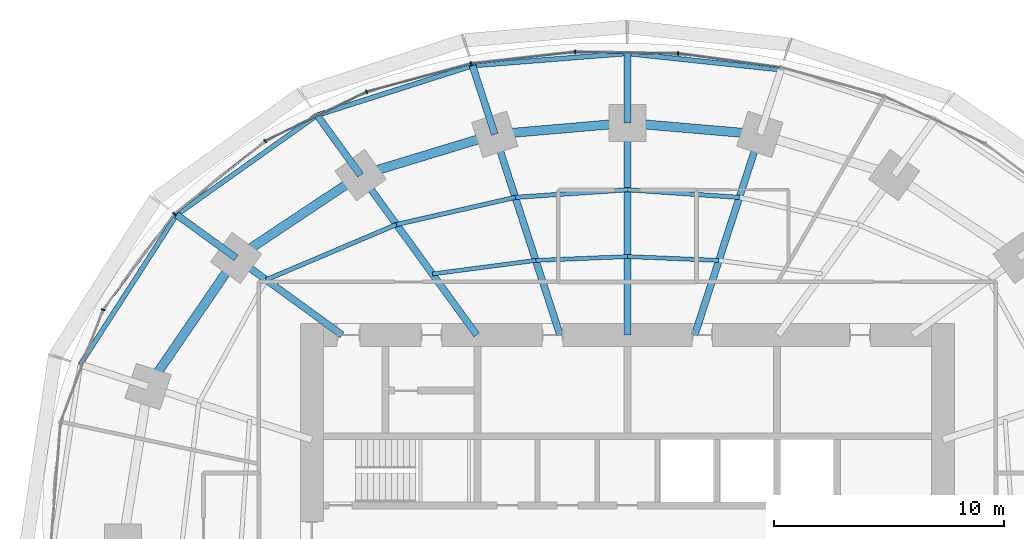
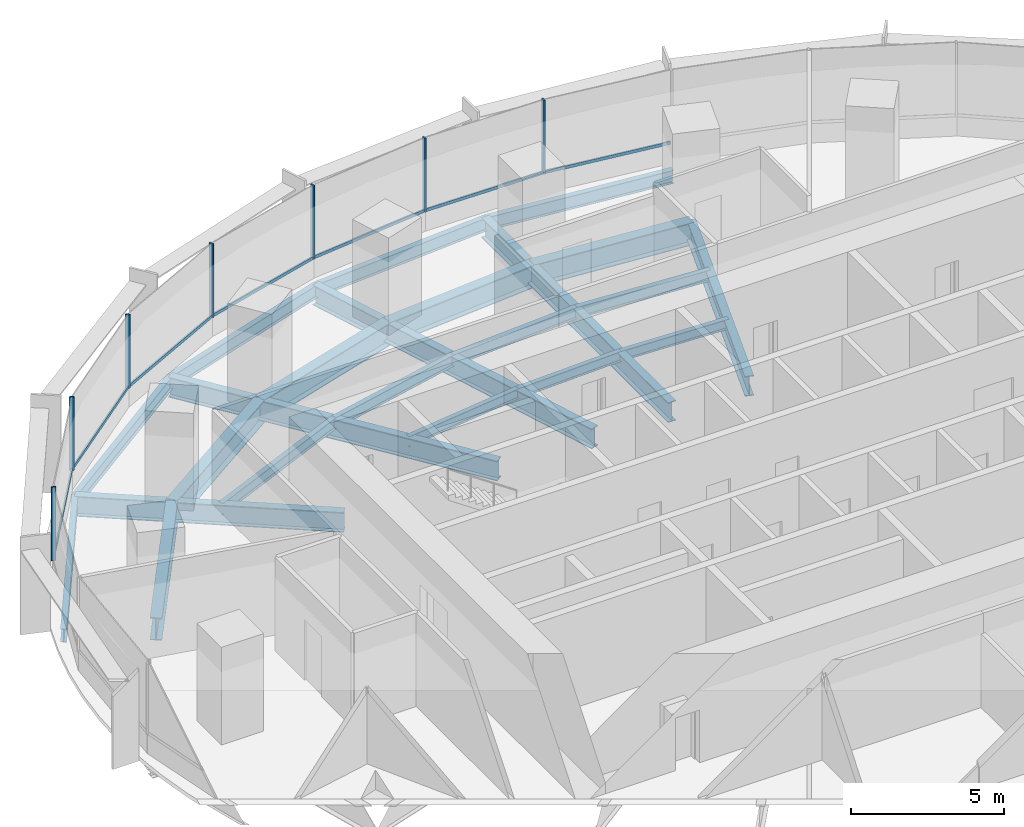
# One storey, part 7 of 14: 26 beams, 14 members, 2 elements without a shape of their own.
"""IFC4 building model written with IfcOpenShell, lengths in metres."""

import ifcopenshell
import ifcopenshell.guid

model = None  # the IFC model being written
_history = None  # IfcOwnerHistory: only IFC2X3 demands one
_inside = {}  # id of a spatial element -> (the spatial element, [elements in it])
_under = {}  # id of a project, library or spatial element -> (it, [spatial elements below it])
_declared = {}  # id of a project -> (the project, [libraries it declares])
_typed = {}  # id of a type object -> (the type object, [elements of that type])
_made_of = {}  # id of a material, layer set ... -> (it, [elements and type objects made of it])


def new_model(schema):
    """Start an empty IFC model of exactly this schema.

    Asked for "IFC4X3", IfcOpenShell would pick the latest addendum, in which some entities
    have other attributes; the version numbers below select the first issue.
    IFC2X3 requires an IfcOwnerHistory on every rooted entity: one is made here for all.
    """
    global model, _history
    if schema == "IFC4X3":
        model = ifcopenshell.file(schema_version=(4, 3, 0, 0))
    else:
        model = ifcopenshell.file(schema=schema)
    _inside.clear()
    _under.clear()
    _declared.clear()
    _typed.clear()
    _made_of.clear()
    _history = None
    if model.schema == "IFC2X3":
        org = make("IfcOrganization", Name="unknown")
        user = make(
            "IfcPersonAndOrganization",
            ThePerson=make("IfcPerson", FamilyName="unknown"),
            TheOrganization=org,
        )
        app = make(
            "IfcApplication",
            ApplicationDeveloper=org,
            Version="unknown",
            ApplicationFullName="unknown",
            ApplicationIdentifier="unknown",
        )
        _history = make(
            "IfcOwnerHistory",
            OwningUser=user,
            OwningApplication=app,
            ChangeAction="ADDED",
            CreationDate=0,
        )
    return model


def make(cls, **values):
    """One entity of the class cls with the attributes given. An attribute that is None is left unset."""
    return model.create_entity(
        cls, **{name: value for name, value in values.items() if value is not None}
    )


def rooted(cls, **values):
    """An entity with a GlobalId (a new one), such as an element, a storey or a relation."""
    return make(cls, GlobalId=ifcopenshell.guid.new(), OwnerHistory=_history, **values)


def si_unit(unit_type, name, prefix=None):
    """IfcSIUnit, for example si_unit("LENGTHUNIT", "METRE", prefix="MILLI")."""
    return make("IfcSIUnit", UnitType=unit_type, Prefix=prefix, Name=name)


def assignment(units):
    """IfcUnitAssignment: the units of a project."""
    return None if units is None else make("IfcUnitAssignment", Units=units)


def point(xyz):
    """IfcCartesianPoint."""
    return None if xyz is None else make("IfcCartesianPoint", Coordinates=xyz)


def direction(xyz):
    """IfcDirection."""
    return None if xyz is None else make("IfcDirection", DirectionRatios=xyz)


def frame(location, z_axis=None, x_axis=None):
    """IfcAxis2Placement3D, a coordinate frame: its origin and axes. An axis left out is left unset."""
    return make(
        "IfcAxis2Placement3D",
        Location=point(location),
        Axis=direction(z_axis),
        RefDirection=direction(x_axis),
    )


def frame_2d(location, x_axis=None):
    """IfcAxis2Placement2D, a coordinate frame in the plane: its origin and x axis."""
    return make(
        "IfcAxis2Placement2D", Location=point(location), RefDirection=direction(x_axis)
    )


def origin():
    """The frame at (0, 0, 0) with its axes left unset."""
    return frame((0.0, 0.0, 0.0))


def origin_2d():
    """The frame at (0, 0) in the plane with its x axis left unset."""
    return frame_2d((0.0, 0.0))


def place(relative_to, where):
    """IfcLocalPlacement: puts the frame where relative to a parent placement (None: the world)."""
    return make(
        "IfcLocalPlacement", PlacementRelTo=relative_to, RelativePlacement=where
    )


def context(
    kind, dimensions, precision=None, world=None, true_north=None, identifier=None
):
    """IfcGeometricRepresentationContext, for example the 3D "Model" context."""
    return make(
        "IfcGeometricRepresentationContext",
        ContextIdentifier=identifier,
        ContextType=kind,
        CoordinateSpaceDimension=dimensions,
        Precision=precision,
        WorldCoordinateSystem=world,
        TrueNorth=true_north,
    )


def subcontext(parent, identifier, kind, view, scale=None):
    """IfcGeometricRepresentationSubContext, for example "Body" below "Model"."""
    return make(
        "IfcGeometricRepresentationSubContext",
        ContextIdentifier=identifier,
        ContextType=kind,
        ParentContext=parent,
        TargetScale=scale,
        TargetView=view,
    )


def project(units=None, contexts=None):
    """IfcProject with its units and contexts."""
    return rooted(
        "IfcProject",
        Name="project",
        RepresentationContexts=contexts,
        UnitsInContext=assignment(units),
    )


def spatial(cls, under=None, at=None, **own):
    """A site, building, storey or space (cls), placed at a placement, below another one or the project."""
    s = rooted(cls, ObjectPlacement=at, **own)
    if under is not None:
        _under.setdefault(under.id(), (under, []))[1].append(s)
    return s


def profile(cls, at=None, kind="AREA", **sizes):
    """A parametric profile (cls). Its sizes go by their IFC names, for example OverallWidth=200.0."""
    return make(cls, ProfileType=kind, Position=at, **sizes)


def rectangle(**sizes):
    """IfcRectangleProfileDef."""
    return profile("IfcRectangleProfileDef", **sizes)


def i_section(**sizes):
    """IfcIShapeProfileDef."""
    return profile("IfcIShapeProfileDef", **sizes)


def extrude(swept, where, along, depth):
    """IfcExtrudedAreaSolid: the profile swept, set in the frame where, extruded along a direction by depth."""
    return make(
        "IfcExtrudedAreaSolid",
        SweptArea=swept,
        Position=where,
        ExtrudedDirection=direction(along),
        Depth=depth,
    )


def shape(context_of_items, identifier, shape_type, items):
    """IfcShapeRepresentation: the items that make up one representation, for example the "Body"."""
    return make(
        "IfcShapeRepresentation",
        ContextOfItems=context_of_items,
        RepresentationIdentifier=identifier,
        RepresentationType=shape_type,
        Items=items,
    )


def material(Name=None, Category=None):
    """IfcMaterial."""
    return make("IfcMaterial", Name=Name, Category=Category)


def material_profile(
    of_material, cross_section, Name=None, Category=None, Priority=None
):
    """IfcMaterialProfile: a cross section and its material."""
    return make(
        "IfcMaterialProfile",
        Name=Name,
        Material=of_material,
        Profile=cross_section,
        Priority=Priority,
        Category=Category,
    )


def profile_set(profiles, Name=None, composite=None):
    """IfcMaterialProfileSet."""
    return make(
        "IfcMaterialProfileSet",
        Name=Name,
        MaterialProfiles=profiles,
        CompositeProfile=composite,
    )


def made_of(thing, what):
    """Note that an element or type object is made of a material, layer set ...; save() writes the relation."""
    if what is not None:
        _made_of.setdefault(what.id(), (what, []))[1].append(thing)
    return thing


def type_object(cls, material=None, **own):
    """A type object (cls), such as IfcWallType, which elements share."""
    return made_of(rooted(cls, **own), material)


def element(
    cls,
    number,
    at=None,
    inside=None,
    cuts=None,
    type_object=None,
    material=None,
    context=None,
    identifier="Body",
    shape_type=None,
    held_by="IfcProductDefinitionShape",
    body=None,
    shapes=None,
    **own,
):
    """One element of the class cls, such as IfcWall. Its Tag is "e" and its number.

    at: its placement. inside: the storey or other place that contains it. cuts: it is an
    opening in that element (IfcRelVoidsElement). A single representation is given by context,
    identifier, shape_type and body (its items); several are given by shapes. held_by: the class
    of the entity that holds the representations. save() writes the other relations.
    """
    e = rooted(cls, Tag="e%d" % number, ObjectPlacement=at, **own)
    if body is not None:
        shapes = [shape(context, identifier, shape_type, body)]
    if shapes is not None:
        e.Representation = make(held_by, Representations=shapes)
    if inside is not None:
        _inside.setdefault(inside.id(), (inside, []))[1].append(e)
    if cuts is not None:
        rooted(
            "IfcRelVoidsElement", RelatingBuildingElement=cuts, RelatedOpeningElement=e
        )
    if type_object is not None:
        _typed.setdefault(type_object.id(), (type_object, []))[1].append(e)
    return made_of(e, material)


def aggregate(whole, parts):
    """IfcRelAggregates: a whole, such as a stair, and the parts it consists of."""
    return rooted("IfcRelAggregates", RelatingObject=whole, RelatedObjects=parts)


def save(model, path):
    """Write the relations noted so far, then the file.

    IfcRelAggregates (storeys below a building ...), IfcRelContainedInSpatialStructure (elements
    in a storey), IfcRelDefinesByType, IfcRelAssociatesMaterial and IfcRelDeclares: one each for
    every whole, place, type object, material and project.
    """
    for whole, parts in _under.values():
        aggregate(whole, parts)
    for where, things in _inside.values():
        rooted(
            "IfcRelContainedInSpatialStructure",
            RelatedElements=things,
            RelatingStructure=where,
        )
    for kind, things in _typed.values():
        rooted("IfcRelDefinesByType", RelatedObjects=things, RelatingType=kind)
    for what, things in _made_of.values():
        rooted("IfcRelAssociatesMaterial", RelatedObjects=things, RelatingMaterial=what)
    for by, libraries in _declared.values():
        rooted("IfcRelDeclares", RelatingContext=by, RelatedDefinitions=libraries)
    model.write(path)


model = new_model("IFC4")

# Units and contexts
model_context = context("Model", 3, precision=1e-05, world=origin(), true_north=direction((0.0, 1.0)))
body_context = subcontext(model_context, "Body", "Model", "MODEL_VIEW")
ifc_project = project(units=[si_unit("LENGTHUNIT", "METRE"), si_unit("AREAUNIT", "SQUARE_METRE"), si_unit("VOLUMEUNIT", "CUBIC_METRE"), si_unit("PLANEANGLEUNIT", "RADIAN"), si_unit("MASSUNIT", "GRAM", prefix="KILO")], contexts=[model_context])

# Site, building, storey
site_placement = place(None, origin())
site = spatial("IfcSite", under=ifc_project, at=site_placement, CompositionType="ELEMENT")
building_placement = place(site_placement, origin())
building = spatial("IfcBuilding", under=site, at=building_placement, Name="Marramba Exchange Tower", CompositionType="ELEMENT")
storey_placement = place(building_placement, frame((0.0, 0.0, 119.699951171875)))
storey = spatial("IfcBuildingStorey", under=building, at=storey_placement, Name="L28", CompositionType="ELEMENT", Elevation=119.699951171875)

# Beams
ifc_material_1 = material(Name="Steel AS/NZS 3679.2 grade 300", Category="steel")
ifc_material_profile_1 = material_profile(ifc_material_1, i_section(OverallWidth=0.300048828125, OverallDepth=0.800048828125, WebThickness=0.013916015625, FlangeThickness=0.031982421875, at=origin_2d()), Name="800WB192")
ifc_profile_set_1 = profile_set([ifc_material_profile_1], Name="Steel AS/NZS 3679.2 grade 300")
beam_type_1 = type_object("IfcBeamType", Name="Cantilever girder 800WB192", PredefinedType="BEAM", material=ifc_profile_set_1)
beam_1_placement = place(storey_placement, frame((0.0, 18.2041015625, -0.56005859375), z_axis=(0.0, 1.0, 0.0), x_axis=(-1.0, 0.0, 0.0)))
element("IfcBeam", 1, at=beam_1_placement, inside=storey, type_object=beam_type_1, Name="Cantilever girder L28 TC06", PredefinedType="BEAM", context=body_context, shape_type="SweptSolid", body=[
    extrude(i_section(OverallWidth=0.300048828125, OverallDepth=0.800048828125, WebThickness=0.013916015625, FlangeThickness=0.031982421875, at=origin_2d()), origin(), (0.0, 0.0, 1.0), 3.01904296875),
])
beam_2_placement = place(storey_placement, frame((-5.75390625, 17.70849609375, -0.56005859375), z_axis=(-0.309028002802, 0.95105293937, 0.0), x_axis=(-0.95105293937, -0.309028002802, 0.0)))
element("IfcBeam", 2, at=beam_2_placement, inside=storey, type_object=beam_type_1, Name="Cantilever girder L28 TC07", PredefinedType="BEAM", context=body_context, shape_type="SweptSolid", body=[
    extrude(i_section(OverallWidth=0.300048828125, OverallDepth=0.800048828125, WebThickness=0.013916015625, FlangeThickness=0.031982421875, at=origin_2d()), origin(), (0.0, 0.0, 1.0), 3.13720703125),
])
beam_3_placement = place(storey_placement, frame((-11.581298828125, 15.9404296875, -0.56005859375), z_axis=(-0.587828447158, 0.808985609706, 0.0), x_axis=(-0.808985609706, -0.587828447158, 0.0)))
element("IfcBeam", 3, at=beam_3_placement, inside=storey, type_object=beam_type_1, Name="Cantilever girder L28 TC08", PredefinedType="BEAM", context=body_context, shape_type="SweptSolid", body=[
    extrude(i_section(OverallWidth=0.300048828125, OverallDepth=0.800048828125, WebThickness=0.013916015625, FlangeThickness=0.031982421875, at=origin_2d()), origin(), (0.0, 0.0, 1.0), 3.214599609375),
])
beam_4_placement = place(storey_placement, frame((-16.98583984375, 12.3408203125, -0.56005859375), z_axis=(-0.809013857915, 0.587789569234, 0.0), x_axis=(-0.587789569234, -0.809013857915, 0.0)))
element("IfcBeam", 4, at=beam_4_placement, inside=storey, type_object=beam_type_1, Name="Cantilever girder L28 TC09", PredefinedType="BEAM", context=body_context, shape_type="SweptSolid", body=[
    extrude(i_section(OverallWidth=0.300048828125, OverallDepth=0.800048828125, WebThickness=0.013916015625, FlangeThickness=0.031982421875, at=origin_2d()), origin(), (0.0, 0.0, 1.0), 3.191650390625),
])
ifc_material_2 = material(Name="Steel AS/NZS 3679.1 grade 300", Category="steel")
ifc_material_profile_2 = material_profile(ifc_material_2, i_section(OverallWidth=0.177978515625, OverallDepth=0.406005859375, WebThickness=0.0078125, FlangeThickness=0.0126953125, FilletRadius=0.011474609375, at=origin_2d()), Name="410UB59.7")
ifc_profile_set_2 = profile_set([ifc_material_profile_2], Name="Steel AS/NZS 3679.1 grade 300")
beam_type_2 = type_object("IfcBeamType", Name="Floor joist 410UB59.7", PredefinedType="JOIST", material=ifc_profile_set_2)
for number, where, z_axis, x_axis, name in (
    (5, (3.975830078125, 12.236083984375, -0.363037109375), (-0.999137002892, 0.041536122257, 0.0), (-0.041536122257, -0.999137002892, 0.0), "Joist L28 bay 05 row 1"),
    (6, (0.0, 12.4013671875, -0.363037109375), (-0.999137002892, -0.041536122257, 0.0), (0.041536122257, -0.999137002892, 0.0), "Joist L28 bay 06 row 1"),
):
    element("IfcBeam", number, at=place(storey_placement, frame(where, z_axis=z_axis, x_axis=x_axis)), inside=storey, type_object=beam_type_2, Name=name, PredefinedType="JOIST", context=body_context, shape_type="SweptSolid", body=[
        extrude(i_section(OverallWidth=0.177978515625, OverallDepth=0.406005859375, WebThickness=0.0078125, FlangeThickness=0.0126953125, FilletRadius=0.011474609375, at=origin_2d()), origin(), (0.0, 0.0, 1.0), 3.979248046875),
    ])
beam_5_placement = place(storey_placement, frame((-3.975830078125, 12.236083984375, -0.363037109375), z_axis=(-0.991480538255, -0.130254912618, 0.0), x_axis=(0.130254912618, -0.991480538255, 0.0)))
element("IfcBeam", 7, at=beam_5_placement, inside=storey, type_object=beam_type_2, Name="Joist L28 bay 07 row 1", PredefinedType="JOIST", context=body_context, shape_type="SweptSolid", body=[
    extrude(i_section(OverallWidth=0.177978515625, OverallDepth=0.406005859375, WebThickness=0.0078125, FlangeThickness=0.0126953125, FilletRadius=0.011474609375, at=origin_2d()), origin(), (0.0, 0.0, 1.0), 4.524658203125),
])
ifc_material_profile_3 = material_profile(ifc_material_2, i_section(OverallWidth=0.18994140625, OverallDepth=0.4541015625, WebThickness=0.008544921875, FlangeThickness=0.0126953125, FilletRadius=0.011474609375, at=origin_2d()), Name="460UB67.1")
ifc_profile_set_3 = profile_set([ifc_material_profile_3], Name="Steel AS/NZS 3679.1 grade 300")
beam_type_3 = type_object("IfcBeamType", Name="Floor joist 460UB67.1", PredefinedType="JOIST", material=ifc_profile_set_3)
for number, where, z_axis, x_axis, name in (
    (8, (4.86474609375, 14.972412109375, -0.386962890625), (-0.997702652202, 0.067745241816, 0.0), (-0.067745241816, -0.997702652202, 0.0), "Joist L28 bay 05 row 2"),
    (9, (0.0, 15.302734375, -0.386962890625), (-0.997702652202, -0.067745241816, 0.0), (0.067745241816, -0.997702652202, 0.0), "Joist L28 bay 06 row 2"),
):
    element("IfcBeam", number, at=place(storey_placement, frame(where, z_axis=z_axis, x_axis=x_axis)), inside=storey, type_object=beam_type_3, Name=name, PredefinedType="JOIST", context=body_context, shape_type="SweptSolid", body=[
        extrude(i_section(OverallWidth=0.18994140625, OverallDepth=0.4541015625, WebThickness=0.008544921875, FlangeThickness=0.0126953125, FilletRadius=0.011474609375, at=origin_2d()), origin(), (0.0, 0.0, 1.0), 4.8759765625),
    ])
beam_6_placement = place(storey_placement, frame((-4.86474609375, 14.972412109375, -0.386962890625), z_axis=(-0.974859652292, -0.222819788916, 0.0), x_axis=(0.222819788916, -0.974859652292, 0.0)))
element("IfcBeam", 10, at=beam_6_placement, inside=storey, type_object=beam_type_3, Name="Joist L28 bay 07 row 2", PredefinedType="JOIST", context=body_context, shape_type="SweptSolid", body=[
    extrude(i_section(OverallWidth=0.18994140625, OverallDepth=0.4541015625, WebThickness=0.008544921875, FlangeThickness=0.0126953125, FilletRadius=0.011474609375, at=origin_2d()), origin(), (0.0, 0.0, 1.0), 5.2900390625),
])
beam_7_placement = place(storey_placement, frame((-10.021728515625, 13.793701171875, -0.386962890625), z_axis=(-0.920674336375, -0.390331610738, 0.0), x_axis=(0.390331610738, -0.920674336375, 0.0)))
element("IfcBeam", 11, at=beam_7_placement, inside=storey, type_object=beam_type_3, Name="Joist L28 bay 08 row 2", PredefinedType="JOIST", context=body_context, shape_type="SweptSolid", body=[
    extrude(i_section(OverallWidth=0.18994140625, OverallDepth=0.4541015625, WebThickness=0.008544921875, FlangeThickness=0.0126953125, FilletRadius=0.011474609375, at=origin_2d()), origin(), (0.0, 0.0, 1.0), 6.1484375),
])

# Curtain wall, members
ifc_material_3 = material(Name="Aluminium framing, bronze anodised", Category="aluminium")
curtain_wall_type = type_object("IfcCurtainWallType", Name="Office ribbon curtain wall", PredefinedType="USERDEFINED", material=ifc_material_3)
curtain_wall_1_placement = place(storey_placement, origin())
curtain_wall_1 = element("IfcCurtainWall", 12, at=curtain_wall_1_placement, inside=storey, type_object=curtain_wall_type, Name="Curtain wall CW4 L28 F06-F10", ObjectType="RIBBON CURTAIN WALL", PredefinedType="USERDEFINED")
ifc_material_4 = material(Name="Aluminium mullion, bronze anodised", Category="aluminium")
ifc_material_profile_4 = material_profile(ifc_material_4, rectangle(XDim=0.159912109375, YDim=0.06005859375, at=origin_2d()), Name="CW4 mullion 60x160")
ifc_profile_set_4 = profile_set([ifc_material_profile_4], Name="Aluminium mullion, bronze anodised")
member_type_1 = type_object("IfcMemberType", Name="Office ribbon curtain wall mullion", PredefinedType="MULLION", material=ifc_profile_set_4)
member_1_placement = place(storey_placement, frame((2.200439453125, 21.2216796875, 0.800048828125), z_axis=(0.0, 0.0, 1.0), x_axis=(-0.01575578169, -0.999875869968, 0.0)))
member_1 = element("IfcMember", 13, at=member_1_placement, type_object=member_type_1, Name="CW4 mullion 1", PredefinedType="MULLION", context=body_context, shape_type="SweptSolid", body=[
    extrude(rectangle(XDim=0.159912109375, YDim=0.06005859375, at=origin_2d()), origin(), (0.0, 0.0, 1.0), 2.93994140625),
])
member_2_placement = place(storey_placement, frame((-2.267578125, 21.288330078125, 0.800048828125), z_axis=(0.0, 0.0, 1.0), x_axis=(0.110973233233, -0.993823395532, 0.0)))
member_2 = element("IfcMember", 14, at=member_2_placement, type_object=member_type_1, Name="CW4 mullion 1", PredefinedType="MULLION", context=body_context, shape_type="SweptSolid", body=[
    extrude(rectangle(XDim=0.159912109375, YDim=0.06005859375, at=origin_2d()), origin(), (0.0, 0.0, 1.0), 2.93994140625),
])
member_3_placement = place(storey_placement, frame((-6.783203125, 20.779541015625, 0.800048828125), z_axis=(0.0, 0.0, 1.0), x_axis=(0.260321294588, -0.965522047176, 0.0)))
member_3 = element("IfcMember", 15, at=member_3_placement, type_object=member_type_1, Name="CW4 mullion 1", PredefinedType="MULLION", context=body_context, shape_type="SweptSolid", body=[
    extrude(rectangle(XDim=0.159912109375, YDim=0.06005859375, at=origin_2d()), origin(), (0.0, 0.0, 1.0), 2.93994140625),
])

curtain_wall_2_placement = place(storey_placement, origin())
curtain_wall_2 = element("IfcCurtainWall", 16, at=curtain_wall_2_placement, inside=storey, type_object=curtain_wall_type, Name="Curtain wall CW4 L28 F11-F15", ObjectType="RIBBON CURTAIN WALL", PredefinedType="USERDEFINED")
member_4_placement = place(storey_placement, frame((-11.32177734375, 19.550048828125, 0.800048828125), z_axis=(0.0, 0.0, 1.0), x_axis=(0.435427626771, -0.900223739881, 0.0)))
member_4 = element("IfcMember", 17, at=member_4_placement, type_object=member_type_1, Name="CW4 mullion 1", PredefinedType="MULLION", context=body_context, shape_type="SweptSolid", body=[
    extrude(rectangle(XDim=0.159912109375, YDim=0.06005859375, at=origin_2d()), origin(), (0.0, 0.0, 1.0), 2.93994140625),
])
member_5_placement = place(storey_placement, frame((-15.720703125, 17.414794921875, 0.800048828125), z_axis=(0.0, 0.0, 1.0), x_axis=(0.624307950145, -0.78117833008, 0.0)))
member_5 = element("IfcMember", 18, at=member_5_placement, type_object=member_type_1, Name="CW4 mullion 1", PredefinedType="MULLION", context=body_context, shape_type="SweptSolid", body=[
    extrude(rectangle(XDim=0.159912109375, YDim=0.06005859375, at=origin_2d()), origin(), (0.0, 0.0, 1.0), 2.93994140625),
])
member_6_placement = place(storey_placement, frame((-19.666748046875, 14.251708984375, 0.800048828125), z_axis=(0.0, 0.0, 1.0), x_axis=(0.80171686484, -0.597703997504, 0.0)))
member_6 = element("IfcMember", 19, at=member_6_placement, type_object=member_type_1, Name="CW4 mullion 1", PredefinedType="MULLION", context=body_context, shape_type="SweptSolid", body=[
    extrude(rectangle(XDim=0.159912109375, YDim=0.06005859375, at=origin_2d()), origin(), (0.0, 0.0, 1.0), 2.93994140625),
])
member_7_placement = place(storey_placement, frame((-22.75341796875, 10.09765625, 0.800048828125), z_axis=(0.0, 0.0, 1.0), x_axis=(0.934925346317, -0.354844468484, 0.0)))
member_7 = element("IfcMember", 20, at=member_7_placement, type_object=member_type_1, Name="CW4 mullion 1", PredefinedType="MULLION", context=body_context, shape_type="SweptSolid", body=[
    extrude(rectangle(XDim=0.159912109375, YDim=0.06005859375, at=origin_2d()), origin(), (0.0, 0.0, 1.0), 2.93994140625),
])

# Member
ifc_material_5 = material(Name="Aluminium transom, bronze anodised", Category="aluminium")
ifc_material_profile_5 = material_profile(ifc_material_5, rectangle(XDim=0.06005859375, YDim=0.1201171875, at=origin_2d()), Name="CW4 transom 60x120")
ifc_profile_set_5 = profile_set([ifc_material_profile_5], Name="Aluminium transom, bronze anodised")
member_type_2 = type_object("IfcMemberType", Name="Office ribbon curtain wall transom", PredefinedType="USERDEFINED", material=ifc_profile_set_5)
member_8_placement = place(storey_placement, frame((6.636962890625, 20.6171875, 0.830078125), z_axis=(-0.990736067897, 0.135801486619, 0.0), x_axis=(-0.135801486619, -0.990736067897, 0.0)))
member_8 = element("IfcMember", 21, at=member_8_placement, type_object=member_type_2, Name="CW4 sill transom", ObjectType="TRANSOM", PredefinedType="USERDEFINED", context=body_context, shape_type="SweptSolid", body=[
    extrude(rectangle(XDim=0.06005859375, YDim=0.1201171875, at=origin_2d()), origin(), (0.0, 0.0, 1.0), 4.44775390625),
])

member_9_placement = place(storey_placement, frame((2.17041015625, 21.22216796875, 0.830078125), z_axis=(-0.999875452363, 0.015782260962, 0.0), x_axis=(-0.015782260962, -0.999875452363, 0.0)))
member_9 = element("IfcMember", 22, at=member_9_placement, type_object=member_type_2, Name="CW4 sill transom", ObjectType="TRANSOM", PredefinedType="USERDEFINED", context=body_context, shape_type="SweptSolid", body=[
    extrude(rectangle(XDim=0.06005859375, YDim=0.1201171875, at=origin_2d()), origin(), (0.0, 0.0, 1.0), 4.40869140625),
])

member_10_placement = place(storey_placement, frame((-2.29736328125, 21.284912109375, 0.830078125), z_axis=(-0.993825837835, -0.110951358943, 0.0), x_axis=(0.110951358943, -0.993825837835, 0.0)))
member_10 = element("IfcMember", 23, at=member_10_placement, type_object=member_type_2, Name="CW4 sill transom", ObjectType="TRANSOM", PredefinedType="USERDEFINED", context=body_context, shape_type="SweptSolid", body=[
    extrude(rectangle(XDim=0.06005859375, YDim=0.1201171875, at=origin_2d()), origin(), (0.0, 0.0, 1.0), 4.484375),
])

member_11_placement = place(storey_placement, frame((-6.812255859375, 20.771728515625, 0.830078125), z_axis=(-0.965511085148, -0.260361948942, 0.0), x_axis=(0.260361948942, -0.965511085148, 0.0)))
member_11 = element("IfcMember", 24, at=member_11_placement, type_object=member_type_2, Name="CW4 sill transom", ObjectType="TRANSOM", PredefinedType="USERDEFINED", context=body_context, shape_type="SweptSolid", body=[
    extrude(rectangle(XDim=0.06005859375, YDim=0.1201171875, at=origin_2d()), origin(), (0.0, 0.0, 1.0), 4.642578125),
])

aggregate(curtain_wall_1, [member_8, member_1, member_9, member_2, member_10, member_3, member_11])

member_12_placement = place(storey_placement, frame((-11.348876953125, 19.536865234375, 0.830078125), z_axis=(-0.900223166385, -0.435428812442, 0.0), x_axis=(0.435428812442, -0.900223166385, 0.0)))
member_12 = element("IfcMember", 25, at=member_12_placement, type_object=member_type_2, Name="CW4 sill transom", ObjectType="TRANSOM", PredefinedType="USERDEFINED", context=body_context, shape_type="SweptSolid", body=[
    extrude(rectangle(XDim=0.06005859375, YDim=0.1201171875, at=origin_2d()), origin(), (0.0, 0.0, 1.0), 4.830322265625),
])

member_13_placement = place(storey_placement, frame((-15.744140625, 17.396240234375, 0.830078125), z_axis=(-0.781164169531, -0.624325668414, 0.0), x_axis=(0.624325668414, -0.781164169531, 0.0)))
member_13 = element("IfcMember", 26, at=member_13_placement, type_object=member_type_2, Name="CW4 sill transom", ObjectType="TRANSOM", PredefinedType="USERDEFINED", context=body_context, shape_type="SweptSolid", body=[
    extrude(rectangle(XDim=0.06005859375, YDim=0.1201171875, at=origin_2d()), origin(), (0.0, 0.0, 1.0), 4.998291015625),
])

member_14_placement = place(storey_placement, frame((-19.6845703125, 14.2275390625, 0.830078125), z_axis=(-0.597714731658, -0.801708862093, 0.0), x_axis=(0.801708862093, -0.597714731658, 0.0)))
member_14 = element("IfcMember", 27, at=member_14_placement, type_object=member_type_2, Name="CW4 sill transom", ObjectType="TRANSOM", PredefinedType="USERDEFINED", context=body_context, shape_type="SweptSolid", body=[
    extrude(rectangle(XDim=0.06005859375, YDim=0.1201171875, at=origin_2d()), origin(), (0.0, 0.0, 1.0), 5.1162109375),
])

aggregate(curtain_wall_2, [member_4, member_12, member_5, member_13, member_6, member_14, member_7])

# Beams
ifc_material_profile_6 = material_profile(ifc_material_1, i_section(OverallWidth=0.300048828125, OverallDepth=0.800048828125, WebThickness=0.013916015625, FlangeThickness=0.031982421875, at=origin_2d()), Name="800WB192")
ifc_profile_set_6 = profile_set([ifc_material_profile_6], Name="Steel AS/NZS 3679.2 grade 300")
beam_type_4 = type_object("IfcBeamType", Name="Radial girder 800WB192", PredefinedType="BEAM", material=ifc_profile_set_6)
beam_8_placement = place(storey_placement, frame((2.92431640625, 9.0, -0.56005859375), z_axis=(0.309019754162, 0.951055619582, 0.0), x_axis=(-0.951055619582, 0.309019754162, 0.0)))
element("IfcBeam", 28, at=beam_8_placement, inside=storey, type_object=beam_type_4, Name="Radial girder L28 TC05", PredefinedType="BEAM", context=body_context, shape_type="SweptSolid", body=[
    extrude(i_section(OverallWidth=0.300048828125, OverallDepth=0.800048828125, WebThickness=0.013916015625, FlangeThickness=0.031982421875, at=origin_2d()), origin(), (0.0, 0.0, 1.0), 9.15673828125),
])
beam_9_placement = place(storey_placement, frame((0.0, 9.0, -0.56005859375), z_axis=(0.0, 1.0, 0.0), x_axis=(-1.0, 0.0, 0.0)))
element("IfcBeam", 29, at=beam_9_placement, inside=storey, type_object=beam_type_4, Name="Radial girder L28 TC06", PredefinedType="BEAM", context=body_context, shape_type="SweptSolid", body=[
    extrude(i_section(OverallWidth=0.300048828125, OverallDepth=0.800048828125, WebThickness=0.013916015625, FlangeThickness=0.031982421875, at=origin_2d()), origin(), (0.0, 0.0, 1.0), 9.2041015625),
])
beam_10_placement = place(storey_placement, frame((-2.92431640625, 9.0, -0.56005859375), z_axis=(-0.309019754162, 0.951055619582, 0.0), x_axis=(-0.951055619582, -0.309019754162, 0.0)))
element("IfcBeam", 30, at=beam_10_placement, inside=storey, type_object=beam_type_4, Name="Radial girder L28 TC07", PredefinedType="BEAM", context=body_context, shape_type="SweptSolid", body=[
    extrude(i_section(OverallWidth=0.300048828125, OverallDepth=0.800048828125, WebThickness=0.013916015625, FlangeThickness=0.031982421875, at=origin_2d()), origin(), (0.0, 0.0, 1.0), 9.15673828125),
])
beam_11_placement = place(storey_placement, frame((-6.538818359375, 9.0, -0.56005859375), z_axis=(-0.587782439969, 0.80901903764, 0.0), x_axis=(-0.80901903764, -0.587782439969, 0.0)))
element("IfcBeam", 31, at=beam_11_placement, inside=storey, type_object=beam_type_4, Name="Radial girder L28 TC08", PredefinedType="BEAM", context=body_context, shape_type="SweptSolid", body=[
    extrude(i_section(OverallWidth=0.300048828125, OverallDepth=0.800048828125, WebThickness=0.013916015625, FlangeThickness=0.031982421875, at=origin_2d()), origin(), (0.0, 0.0, 1.0), 8.578857421875),
])
beam_12_placement = place(storey_placement, frame((-12.387451171875, 9.0, -0.56005859375), z_axis=(-0.809025746925, 0.587773205252, 0.0), x_axis=(-0.587773205252, -0.809025746925, 0.0)))
element("IfcBeam", 32, at=beam_12_placement, inside=storey, type_object=beam_type_4, Name="Radial girder L28 TC09", PredefinedType="BEAM", context=body_context, shape_type="SweptSolid", body=[
    extrude(i_section(OverallWidth=0.300048828125, OverallDepth=0.800048828125, WebThickness=0.013916015625, FlangeThickness=0.031982421875, at=origin_2d()), origin(), (0.0, 0.0, 1.0), 5.683837890625),
])
ifc_material_profile_7 = material_profile(ifc_material_1, i_section(OverallWidth=0.39990234375, OverallDepth=0.89990234375, WebThickness=0.01611328125, FlangeThickness=0.031982421875, at=origin_2d()), Name="900WB282")
ifc_profile_set_7 = profile_set([ifc_material_profile_7], Name="Steel AS/NZS 3679.2 grade 300")
beam_type_5 = type_object("IfcBeamType", Name="Ring beam 900WB282", PredefinedType="SPANDREL", material=ifc_profile_set_7)
for number, where, z_axis, x_axis, name in (
    (33, (5.75390625, 17.70849609375, -0.60986328125), (-0.996311003275, 0.085815993578, 0.0), (-0.085815993578, -0.996311003275, 0.0), "Ring beam L28 TC05-TC06"),
    (34, (0.0, 18.2041015625, -0.60986328125), (-0.996311003275, -0.085815993578, 0.0), (0.085815993578, -0.996311003275, 0.0), "Ring beam L28 TC06-TC07"),
):
    element("IfcBeam", number, at=place(storey_placement, frame(where, z_axis=z_axis, x_axis=x_axis)), inside=storey, type_object=beam_type_5, Name=name, PredefinedType="SPANDREL", context=body_context, shape_type="SweptSolid", body=[
        extrude(i_section(OverallWidth=0.39990234375, OverallDepth=0.89990234375, WebThickness=0.01611328125, FlangeThickness=0.031982421875, at=origin_2d()), origin(), (0.0, 0.0, 1.0), 5.775146484375),
    ])
beam_13_placement = place(storey_placement, frame((-5.75390625, 17.70849609375, -0.60986328125), z_axis=(-0.956924542524, -0.290336735387, 0.0), x_axis=(0.290336735387, -0.956924542524, 0.0)))
element("IfcBeam", 35, at=beam_13_placement, inside=storey, type_object=beam_type_5, Name="Ring beam L28 TC07-TC08", PredefinedType="SPANDREL", context=body_context, shape_type="SweptSolid", body=[
    extrude(i_section(OverallWidth=0.39990234375, OverallDepth=0.89990234375, WebThickness=0.01611328125, FlangeThickness=0.031982421875, at=origin_2d()), origin(), (0.0, 0.0, 1.0), 6.089599609375),
])
beam_14_placement = place(storey_placement, frame((-11.581298828125, 15.9404296875, -0.60986328125), z_axis=(-0.832293151443, -0.554335737673, 0.0), x_axis=(0.554335737673, -0.832293151443, 0.0)))
element("IfcBeam", 36, at=beam_14_placement, inside=storey, type_object=beam_type_5, Name="Ring beam L28 TC08-TC09", PredefinedType="SPANDREL", context=body_context, shape_type="SweptSolid", body=[
    extrude(i_section(OverallWidth=0.39990234375, OverallDepth=0.89990234375, WebThickness=0.01611328125, FlangeThickness=0.031982421875, at=origin_2d()), origin(), (0.0, 0.0, 1.0), 6.49365234375),
])
beam_15_placement = place(storey_placement, frame((-16.98583984375, 12.3408203125, -0.60986328125), z_axis=(-0.56516002054, -0.824981303535, 0.0), x_axis=(0.824981303535, -0.56516002054, 0.0)))
element("IfcBeam", 37, at=beam_15_placement, inside=storey, type_object=beam_type_5, Name="Ring beam L28 TC09-TC10", PredefinedType="SPANDREL", context=body_context, shape_type="SweptSolid", body=[
    extrude(i_section(OverallWidth=0.39990234375, OverallDepth=0.89990234375, WebThickness=0.01611328125, FlangeThickness=0.031982421875, at=origin_2d()), origin(), (0.0, 0.0, 1.0), 6.763671875),
])
ifc_material_profile_8 = material_profile(ifc_material_2, i_section(OverallWidth=0.208984375, OverallDepth=0.528076171875, WebThickness=0.009521484375, FlangeThickness=0.01318359375, FilletRadius=0.013916015625, at=origin_2d()), Name="530UB82.0")
ifc_profile_set_8 = profile_set([ifc_material_profile_8], Name="Steel AS/NZS 3679.1 grade 300")
beam_type_6 = type_object("IfcBeamType", Name="Slab edge beam 530UB82.0", PredefinedType="SPANDREL", material=ifc_profile_set_8)
beam_16_placement = place(storey_placement, frame((6.66552734375, 20.51416015625, -0.424072265625), z_axis=(-0.994390706415, 0.105769196815, 0.0), x_axis=(-0.105769196815, -0.994390706415, 0.0)))
element("IfcBeam", 38, at=beam_16_placement, inside=storey, type_object=beam_type_6, Name="Slab edge beam L28 TC05-TC06", PredefinedType="SPANDREL", context=body_context, shape_type="SweptSolid", body=[
    extrude(i_section(OverallWidth=0.208984375, OverallDepth=0.528076171875, WebThickness=0.009521484375, FlangeThickness=0.01318359375, FilletRadius=0.013916015625, at=origin_2d()), origin(), (0.0, 0.0, 1.0), 6.703125),
])
beam_17_placement = place(storey_placement, frame((0.0, 21.22314453125, -0.424072265625), z_axis=(-0.996895681721, -0.078733726996, 0.0), x_axis=(0.078733726996, -0.996895681721, 0.0)))
element("IfcBeam", 39, at=beam_17_placement, inside=storey, type_object=beam_type_6, Name="Slab edge beam L28 TC06-TC07", PredefinedType="SPANDREL", context=body_context, shape_type="SweptSolid", body=[
    extrude(i_section(OverallWidth=0.208984375, OverallDepth=0.528076171875, WebThickness=0.009521484375, FlangeThickness=0.01318359375, FilletRadius=0.013916015625, at=origin_2d()), origin(), (0.0, 0.0, 1.0), 6.744384765625),
])
beam_18_placement = place(storey_placement, frame((-6.723388671875, 20.692138671875, -0.424072265625), z_axis=(-0.952755400854, -0.303738614839, 0.0), x_axis=(0.303738614839, -0.952755400854, 0.0)))
element("IfcBeam", 40, at=beam_18_placement, inside=storey, type_object=beam_type_6, Name="Slab edge beam L28 TC07-TC08", PredefinedType="SPANDREL", context=body_context, shape_type="SweptSolid", body=[
    extrude(i_section(OverallWidth=0.208984375, OverallDepth=0.528076171875, WebThickness=0.009521484375, FlangeThickness=0.01318359375, FilletRadius=0.013916015625, at=origin_2d()), origin(), (0.0, 0.0, 1.0), 7.08203125),
])
beam_19_placement = place(storey_placement, frame((-13.470947265625, 18.541015625, -0.424072265625), z_axis=(-0.815673202412, -0.578512944425, 0.0), x_axis=(0.578512944425, -0.815673202412, 0.0)))
element("IfcBeam", 41, at=beam_19_placement, inside=storey, type_object=beam_type_6, Name="Slab edge beam L28 TC08-TC09", PredefinedType="SPANDREL", context=body_context, shape_type="SweptSolid", body=[
    extrude(i_section(OverallWidth=0.208984375, OverallDepth=0.528076171875, WebThickness=0.009521484375, FlangeThickness=0.01318359375, FilletRadius=0.013916015625, at=origin_2d()), origin(), (0.0, 0.0, 1.0), 7.474609375),
])
beam_20_placement = place(storey_placement, frame((-19.56787109375, 14.216796875, -0.424072265625), z_axis=(-0.541060886597, -0.840983422544, 0.0), x_axis=(0.840983422544, -0.541060886597, 0.0)))
element("IfcBeam", 42, at=beam_20_placement, inside=storey, type_object=beam_type_6, Name="Slab edge beam L28 TC09-TC10", PredefinedType="SPANDREL", context=body_context, shape_type="SweptSolid", body=[
    extrude(i_section(OverallWidth=0.208984375, OverallDepth=0.528076171875, WebThickness=0.009521484375, FlangeThickness=0.01318359375, FilletRadius=0.013916015625, at=origin_2d()), origin(), (0.0, 0.0, 1.0), 7.72900390625),
])

save(model, "model.ifc")
